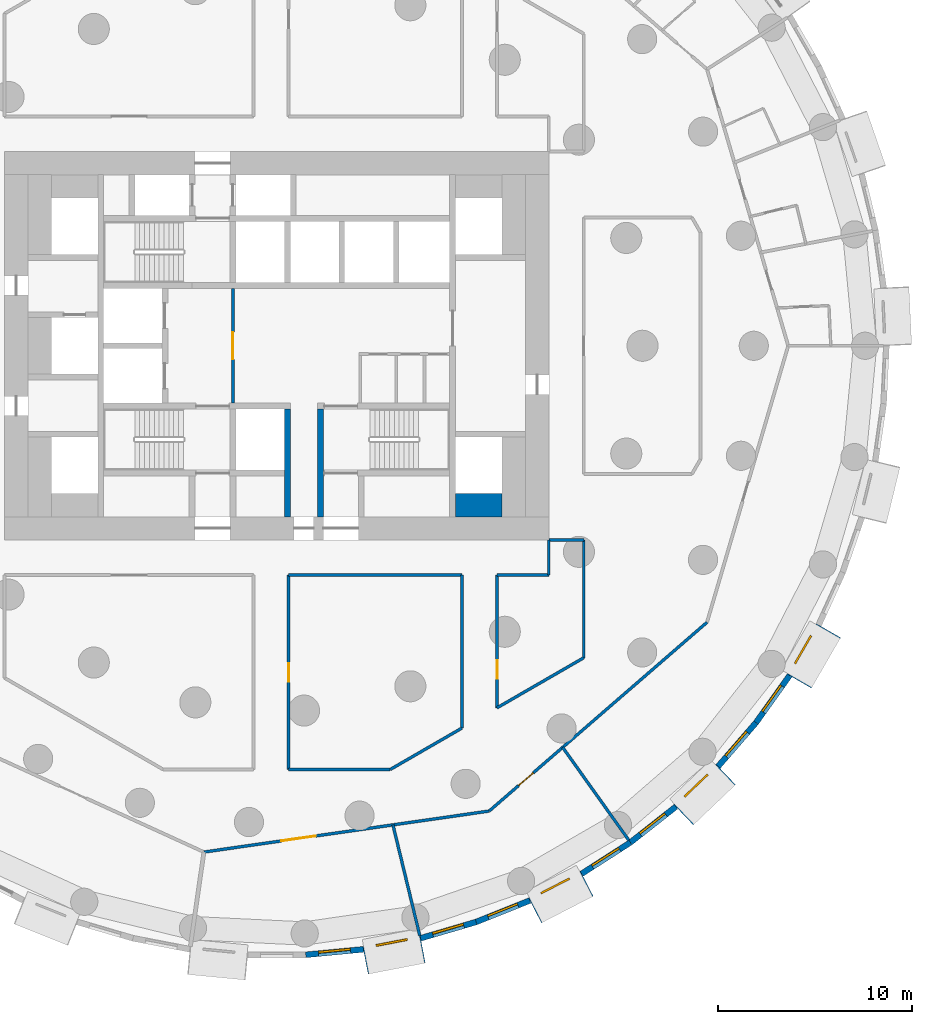
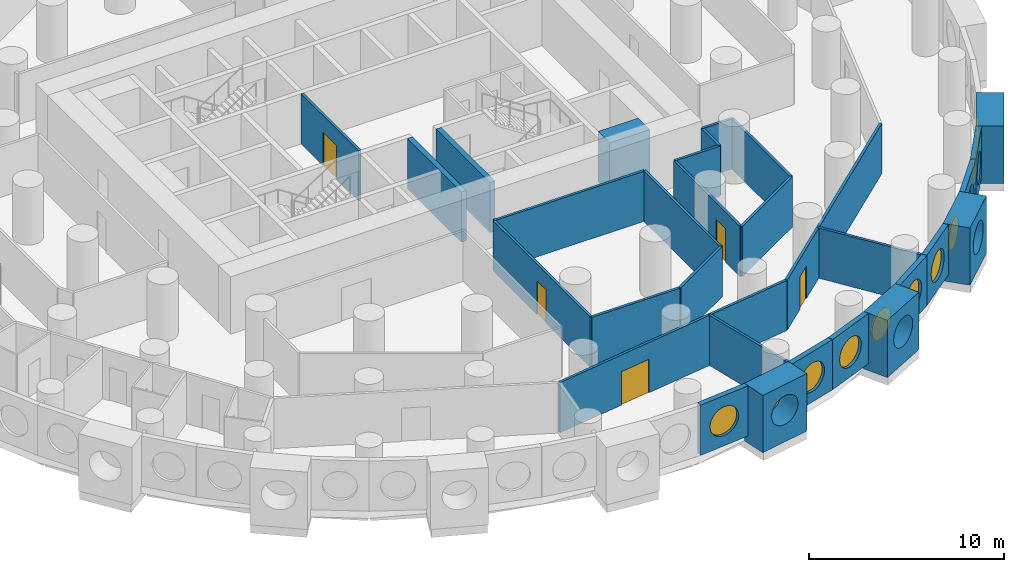
# One storey, part 5 of 12: 30 walls, 11 windows, 5 doors, 16 openings.
"""IFC4 building model written with IfcOpenShell, lengths in metres."""

from ifc_helpers import new_model, si_unit, direction, frame, frame_2d, origin, origin_2d, place, context, subcontext, project, spatial, rectangle, circle, extrude, material, layer, layer_set, type_object, element, fill, save


model = new_model("IFC4")

# Units and contexts
model_context = context("Model", 3, precision=1e-05, world=origin(), true_north=direction((0.0, 1.0)))
body_context = subcontext(model_context, "Body", "Model", "MODEL_VIEW")
ifc_project = project(units=[si_unit("LENGTHUNIT", "METRE"), si_unit("AREAUNIT", "SQUARE_METRE"), si_unit("VOLUMEUNIT", "CUBIC_METRE"), si_unit("PLANEANGLEUNIT", "RADIAN"), si_unit("MASSUNIT", "GRAM", prefix="KILO")], contexts=[model_context])

# Site, building, storey
site_placement = place(None, origin())
site = spatial("IfcSite", under=ifc_project, at=site_placement, CompositionType="ELEMENT")
building_placement = place(site_placement, origin())
building = spatial("IfcBuilding", under=site, at=building_placement, Name="Tracery Tower", CompositionType="ELEMENT")
storey_placement = place(building_placement, frame((0.0, 0.0, 28.199951171875)))
storey = spatial("IfcBuildingStorey", under=building, at=storey_placement, Name="L05", CompositionType="ELEMENT", Elevation=28.199951171875)

# Wall, opening, door
ifc_material_1 = material(Name="Plasterboard on steel studs", Category="steel")
ifc_layer_1 = layer(ifc_material_1, 0.14990234375)
ifc_layer_set_1 = layer_set([ifc_layer_1], Name="Core lobby partition 150")
wall_type_1 = type_object("IfcWallType", Name="Core lobby partition 150", PredefinedType="SOLIDWALL", material=ifc_layer_set_1)
wall_1_placement = place(storey_placement, frame((-2.25, -2.949951171875, 0.0), z_axis=(0.0, 0.0, 1.0), x_axis=(0.0, 1.0, 0.0)))
wall_1 = element("IfcWall", 1, at=wall_1_placement, inside=storey, type_object=wall_type_1, Name="L05 FF lobby E", PredefinedType="SOLIDWALL", context=body_context, shape_type="SweptSolid", body=[
    extrude(rectangle(XDim=5.89990234375, YDim=0.14990234375, at=frame_2d((2.949951171875, 0.0))), origin(), (0.0, 0.0, 1.0), 3.150146484375),
])
opening_1_placement = place(wall_1_placement, frame((2.25, 0.0, 0.0)))
opening_1 = element("IfcOpeningElement", 2, at=opening_1_placement, cuts=wall_1, Name="Opening KD8", PredefinedType="OPENING", context=body_context, shape_type="SweptSolid", body=[
    extrude(rectangle(XDim=1.39990234375, YDim=2.10009765625, at=frame_2d((0.699951171875, 1.050048828125))), frame((0.0, 0.074951171875, 0.0), z_axis=(0.0, -1.0, 0.0), x_axis=(1.0, 0.0, 0.0)), (0.0, 0.0, 1.0), 0.14990234375),
])
ifc_material_2 = material(Name="Steel fire door", Category="steel")
door_type_1 = type_object("IfcDoorType", Name="Core lobby door 1400 double", OperationType="NOTDEFINED", PredefinedType="DOOR", material=ifc_material_2)
door_1_placement = place(opening_1_placement, origin())
door_1 = element("IfcDoor", 3, at=door_1_placement, inside=storey, type_object=door_type_1, Name="Fire-fighting lobby door", OperationType="DOUBLE_DOOR_SINGLE_SWING", OverallHeight=2.10009765625, OverallWidth=1.39990234375, PredefinedType="DOOR", context=body_context, shape_type="SweptSolid", body=[
    extrude(rectangle(XDim=1.39990234375, YDim=2.10009765625, at=frame_2d((0.699951171875, 1.050048828125))), frame((0.0, 0.02490234375, 0.0), z_axis=(0.0, -1.0, 0.0), x_axis=(1.0, 0.0, 0.0)), (0.0, 0.0, 1.0), 0.050048828125),
])
fill(opening_1, door_1)

# Wall
ifc_material_3 = material(Name="Concrete C60/75", Category="concrete")
ifc_layer_2 = layer(ifc_material_3, 1.199951171875)
ifc_layer_set_2 = layer_set([ifc_layer_2], Name="Core strip wall 1200 C60")
wall_type_2 = type_object("IfcWallType", Name="Core strip wall 1200 C60", PredefinedType="SOLIDWALL", material=ifc_layer_set_2)
wall_2_placement = place(storey_placement, frame((9.199951171875, -8.199951171875, 0.0), z_axis=(0.0, 0.0, 1.0), x_axis=(1.0, 0.0, 0.0)))
element("IfcWall", 4, at=wall_2_placement, inside=storey, type_object=wall_type_2, Name="L05 wing corner +1 -8.2", PredefinedType="SOLIDWALL", context=body_context, shape_type="SweptSolid", body=[
    extrude(rectangle(XDim=2.400146484375, YDim=1.199951171875, at=frame_2d((1.2001953125, 0.0))), origin(), (0.0, 0.0, 1.0), 3.150146484375),
])

# Wall, opening, window
ifc_material_4 = material(Name="Precast concrete C50/60", Category="concrete")
ifc_layer_3 = layer(ifc_material_4, 1.449951171875)
ifc_layer_set_3 = layer_set([ifc_layer_3], Name="Deep-set bay unit 3000 x 3600, slab edge 450")
wall_type_3 = type_object("IfcWallType", Name="Deep-set bay unit 3000 x 3600, slab edge 450", PredefinedType="ELEMENTEDWALL", material=ifc_layer_set_3)
wall_3_placement = place(storey_placement, frame((4.56689453125, -31.62109375, -0.449951171875), z_axis=(0.0, 0.0, 1.0), x_axis=(0.981921602273, 0.189288052949, 0.0)))
wall_3 = element("IfcWall", 5, at=wall_3_placement, inside=storey, type_object=wall_type_3, Name="Deep-set bay unit 52 at L05", PredefinedType="ELEMENTEDWALL", context=body_context, shape_type="SweptSolid", body=[
    extrude(rectangle(XDim=3.0, YDim=1.449951171875, at=frame_2d((1.5, 0.0))), origin(), (0.0, 0.0, 1.0), 3.60009765625),
])
opening_2_placement = place(wall_3_placement, frame((1.5, 0.0, 2.0)))
opening_2 = element("IfcOpeningElement", 6, at=opening_2_placement, cuts=wall_3, Name="Opening WN1", PredefinedType="OPENING", context=body_context, shape_type="SweptSolid", body=[
    extrude(circle(Radius=0.9000244140625, at=origin_2d()), frame((0.0, 0.73486328125, 0.0), z_axis=(0.0, -1.0, 0.0), x_axis=(1.0, 0.0, 0.0)), (0.0, 0.0, 1.0), 1.469970703125),
])
ifc_material_5 = material(Name="Aluminium frame with tinted double glazing", Category="aluminium")
window_type = type_object("IfcWindowType", Name="Round window 1800", PartitioningType="SINGLE_PANEL", PredefinedType="WINDOW", material=ifc_material_5)
window_1_placement = place(opening_2_placement, origin())
window_1 = element("IfcWindow", 7, at=window_1_placement, inside=storey, type_object=window_type, Name="Round window 52 at L05", OverallHeight=1.800048828125, OverallWidth=1.800048828125, PartitioningType="SINGLE_PANEL", PredefinedType="WINDOW", context=body_context, shape_type="SweptSolid", body=[
    extrude(circle(Radius=0.9000244140625, at=origin_2d()), frame((0.0, 0.69482421875, 0.0), z_axis=(0.0, -1.0, 0.0), x_axis=(1.0, 0.0, 0.0)), (0.0, 0.0, 1.0), 0.10009765625),
])
fill(opening_2, window_1)

wall_4_placement = place(storey_placement, frame((13.29052734375, -29.053466796875, -0.449951171875), z_axis=(0.0, 0.0, 1.0), x_axis=(0.888858064689, 0.458182650083, 0.0)))
wall_4 = element("IfcWall", 8, at=wall_4_placement, inside=storey, type_object=wall_type_3, Name="Deep-set bay unit 55 at L05", PredefinedType="ELEMENTEDWALL", context=body_context, shape_type="SweptSolid", body=[
    extrude(rectangle(XDim=3.0, YDim=1.449951171875, at=frame_2d((1.5, 0.0))), origin(), (0.0, 0.0, 1.0), 3.60009765625),
])
opening_3_placement = place(wall_4_placement, frame((1.5, 0.0, 2.0)))
opening_3 = element("IfcOpeningElement", 9, at=opening_3_placement, cuts=wall_4, Name="Opening WN1", PredefinedType="OPENING", context=body_context, shape_type="SweptSolid", body=[
    extrude(circle(Radius=0.9000244140625, at=origin_2d()), frame((0.0, 0.73486328125, 0.0), z_axis=(0.0, -1.0, 0.0), x_axis=(1.0, 0.0, 0.0)), (0.0, 0.0, 1.0), 1.469970703125),
])
window_2_placement = place(opening_3_placement, origin())
window_2 = element("IfcWindow", 10, at=window_2_placement, inside=storey, type_object=window_type, Name="Round window 55 at L05", OverallHeight=1.800048828125, OverallWidth=1.800048828125, PartitioningType="SINGLE_PANEL", PredefinedType="WINDOW", context=body_context, shape_type="SweptSolid", body=[
    extrude(circle(Radius=0.9000244140625, at=origin_2d()), frame((0.0, 0.69482421875, 0.0), z_axis=(0.0, -1.0, 0.0), x_axis=(1.0, 0.0, 0.0)), (0.0, 0.0, 1.0), 0.10009765625),
])
fill(opening_3, window_2)

wall_5_placement = place(storey_placement, frame((20.9375, -24.13232421875, -0.449951171875), z_axis=(0.0, 0.0, 1.0), x_axis=(0.723712023899, 0.690102098579, 0.0)))
wall_5 = element("IfcWall", 11, at=wall_5_placement, inside=storey, type_object=wall_type_3, Name="Deep-set bay unit 58 at L05", PredefinedType="ELEMENTEDWALL", context=body_context, shape_type="SweptSolid", body=[
    extrude(rectangle(XDim=3.0, YDim=1.449951171875, at=frame_2d((1.5, 0.0))), origin(), (0.0, 0.0, 1.0), 3.60009765625),
])
opening_4_placement = place(wall_5_placement, frame((1.5, 0.0, 2.0)))
opening_4 = element("IfcOpeningElement", 12, at=opening_4_placement, cuts=wall_5, Name="Opening WN1", PredefinedType="OPENING", context=body_context, shape_type="SweptSolid", body=[
    extrude(circle(Radius=0.9000244140625, at=origin_2d()), frame((0.0, 0.73486328125, 0.0), z_axis=(0.0, -1.0, 0.0), x_axis=(1.0, 0.0, 0.0)), (0.0, 0.0, 1.0), 1.469970703125),
])
window_3_placement = place(opening_4_placement, origin())
window_3 = element("IfcWindow", 13, at=window_3_placement, inside=storey, type_object=window_type, Name="Round window 58 at L05", OverallHeight=1.800048828125, OverallWidth=1.800048828125, PartitioningType="SINGLE_PANEL", PredefinedType="WINDOW", context=body_context, shape_type="SweptSolid", body=[
    extrude(circle(Radius=0.9000244140625, at=origin_2d()), frame((0.0, 0.69482421875, 0.0), z_axis=(0.0, -1.0, 0.0), x_axis=(1.0, 0.0, 0.0)), (0.0, 0.0, 1.0), 0.10009765625),
])
fill(opening_4, window_3)

wall_6_placement = place(storey_placement, frame((26.88818359375, -17.256103515625, -0.449951171875), z_axis=(0.0, 0.0, 1.0), x_axis=(0.499990139034, 0.866031096941, 0.0)))
wall_6 = element("IfcWall", 14, at=wall_6_placement, inside=storey, type_object=wall_type_3, Name="Deep-set bay unit 61 at L05", PredefinedType="ELEMENTEDWALL", context=body_context, shape_type="SweptSolid", body=[
    extrude(rectangle(XDim=3.0, YDim=1.449951171875, at=frame_2d((1.5, 0.0))), origin(), (0.0, 0.0, 1.0), 3.60009765625),
])
opening_5_placement = place(wall_6_placement, frame((1.5, 0.0, 2.0)))
opening_5 = element("IfcOpeningElement", 15, at=opening_5_placement, cuts=wall_6, Name="Opening WN1", PredefinedType="OPENING", context=body_context, shape_type="SweptSolid", body=[
    extrude(circle(Radius=0.9000244140625, at=origin_2d()), frame((0.0, 0.73486328125, 0.0), z_axis=(0.0, -1.0, 0.0), x_axis=(1.0, 0.0, 0.0)), (0.0, 0.0, 1.0), 1.469970703125),
])
window_4_placement = place(opening_5_placement, origin())
window_4 = element("IfcWindow", 16, at=window_4_placement, inside=storey, type_object=window_type, Name="Round window 61 at L05", OverallHeight=1.800048828125, OverallWidth=1.800048828125, PartitioningType="SINGLE_PANEL", PredefinedType="WINDOW", context=body_context, shape_type="SweptSolid", body=[
    extrude(circle(Radius=0.9000244140625, at=origin_2d()), frame((0.0, 0.69482421875, 0.0), z_axis=(0.0, -1.0, 0.0), x_axis=(1.0, 0.0, 0.0)), (0.0, 0.0, 1.0), 0.10009765625),
])
fill(opening_5, window_4)

ifc_material_6 = material(Name="Precast concrete C50/60", Category="concrete")
ifc_layer_4 = layer(ifc_material_6, 0.300048828125)
ifc_layer_set_4 = layer_set([ifc_layer_4], Name="Facade panel 3000 x 3150")
wall_type_4 = type_object("IfcWallType", Name="Facade panel 3000 x 3150", PredefinedType="SOLIDWALL", material=ifc_layer_set_4)
wall_7_placement = place(storey_placement, frame((1.492919921875, -31.3388671875, 0.0), z_axis=(0.0, 0.0, 1.0), x_axis=(0.995472611385, 0.095048829468, 0.0)))
wall_7 = element("IfcWall", 17, at=wall_7_placement, inside=storey, type_object=wall_type_4, Name="Facade panel 51 at L05", PredefinedType="SOLIDWALL", context=body_context, shape_type="SweptSolid", body=[
    extrude(rectangle(XDim=2.9794921875, YDim=0.300048828125, at=frame_2d((1.48974609375, 0.0))), origin(), (0.0, 0.0, 1.0), 3.150146484375),
])
opening_6_placement = place(wall_7_placement, frame((1.48974609375, 0.0, 1.5498046875)))
opening_6 = element("IfcOpeningElement", 18, at=opening_6_placement, cuts=wall_7, Name="Opening WN1", PredefinedType="OPENING", context=body_context, shape_type="SweptSolid", body=[
    extrude(circle(Radius=0.9000244140625, at=origin_2d()), frame((0.0, 0.159912109375, 0.0), z_axis=(0.0, -1.0, 0.0), x_axis=(1.0, 0.0, 0.0)), (0.0, 0.0, 1.0), 0.320068359375),
])
window_5_placement = place(opening_6_placement, origin())
window_5 = element("IfcWindow", 19, at=window_5_placement, inside=storey, type_object=window_type, Name="Round window 51 at L05", OverallHeight=1.800048828125, OverallWidth=1.800048828125, PartitioningType="SINGLE_PANEL", PredefinedType="WINDOW", context=body_context, shape_type="SweptSolid", body=[
    extrude(circle(Radius=0.9000244140625, at=origin_2d()), frame((0.0, 0.1201171875, 0.0), z_axis=(0.0, -1.0, 0.0), x_axis=(1.0, 0.0, 0.0)), (0.0, 0.0, 1.0), 0.10009765625),
])
fill(opening_6, window_5)

wall_8_placement = place(storey_placement, frame((7.402587890625, -30.48828125, 0.0), z_axis=(0.0, 0.0, 1.0), x_axis=(0.959501085144, 0.281704930036, 0.0)))
wall_8 = element("IfcWall", 20, at=wall_8_placement, inside=storey, type_object=wall_type_4, Name="Facade panel 53 at L05", PredefinedType="SOLIDWALL", context=body_context, shape_type="SweptSolid", body=[
    extrude(rectangle(XDim=2.9794921875, YDim=0.300048828125, at=frame_2d((1.48974609375, 0.0))), origin(), (0.0, 0.0, 1.0), 3.150146484375),
])
opening_7_placement = place(wall_8_placement, frame((1.48974609375, 0.0, 1.5498046875)))
opening_7 = element("IfcOpeningElement", 21, at=opening_7_placement, cuts=wall_8, Name="Opening WN1", PredefinedType="OPENING", context=body_context, shape_type="SweptSolid", body=[
    extrude(circle(Radius=0.9000244140625, at=origin_2d()), frame((0.0, 0.159912109375, 0.0), z_axis=(0.0, -1.0, 0.0), x_axis=(1.0, 0.0, 0.0)), (0.0, 0.0, 1.0), 0.320068359375),
])
window_6_placement = place(opening_7_placement, origin())
window_6 = element("IfcWindow", 22, at=window_6_placement, inside=storey, type_object=window_type, Name="Round window 53 at L05", OverallHeight=1.800048828125, OverallWidth=1.800048828125, PartitioningType="SINGLE_PANEL", PredefinedType="WINDOW", context=body_context, shape_type="SweptSolid", body=[
    extrude(circle(Radius=0.9000244140625, at=origin_2d()), frame((0.0, 0.1201171875, 0.0), z_axis=(0.0, -1.0, 0.0), x_axis=(1.0, 0.0, 0.0)), (0.0, 0.0, 1.0), 0.10009765625),
])
fill(opening_7, window_6)

wall_9_placement = place(storey_placement, frame((10.261474609375, -29.64892578125, 0.0), z_axis=(0.0, 0.0, 1.0), x_axis=(0.928374947, 0.371644935098, 0.0)))
wall_9 = element("IfcWall", 23, at=wall_9_placement, inside=storey, type_object=wall_type_4, Name="Facade panel 54 at L05", PredefinedType="SOLIDWALL", context=body_context, shape_type="SweptSolid", body=[
    extrude(rectangle(XDim=2.979736328125, YDim=0.300048828125, at=frame_2d((1.48974609375, 0.0))), origin(), (0.0, 0.0, 1.0), 3.150146484375),
])
opening_8_placement = place(wall_9_placement, frame((1.48974609375, 0.0, 1.5498046875)))
opening_8 = element("IfcOpeningElement", 24, at=opening_8_placement, cuts=wall_9, Name="Opening WN1", PredefinedType="OPENING", context=body_context, shape_type="SweptSolid", body=[
    extrude(circle(Radius=0.9000244140625, at=origin_2d()), frame((0.0, 0.159912109375, 0.0), z_axis=(0.0, -1.0, 0.0), x_axis=(1.0, 0.0, 0.0)), (0.0, 0.0, 1.0), 0.320068359375),
])
window_7_placement = place(opening_8_placement, origin())
window_7 = element("IfcWindow", 25, at=window_7_placement, inside=storey, type_object=window_type, Name="Round window 54 at L05", OverallHeight=1.800048828125, OverallWidth=1.800048828125, PartitioningType="SINGLE_PANEL", PredefinedType="WINDOW", context=body_context, shape_type="SweptSolid", body=[
    extrude(circle(Radius=0.9000244140625, at=origin_2d()), frame((0.0, 0.1201171875, 0.0), z_axis=(0.0, -1.0, 0.0), x_axis=(1.0, 0.0, 0.0)), (0.0, 0.0, 1.0), 0.10009765625),
])
fill(opening_8, window_7)

wall_10_placement = place(storey_placement, frame((15.6923828125, -27.167724609375, 0.0), z_axis=(0.0, 0.0, 1.0), x_axis=(0.841260995538, 0.54062920508, 0.0)))
wall_10 = element("IfcWall", 26, at=wall_10_placement, inside=storey, type_object=wall_type_4, Name="Facade panel 56 at L05", PredefinedType="SOLIDWALL", context=body_context, shape_type="SweptSolid", body=[
    extrude(rectangle(XDim=2.9794921875, YDim=0.300048828125, at=frame_2d((1.48974609375, 0.0))), origin(), (0.0, 0.0, 1.0), 3.150146484375),
])
opening_9_placement = place(wall_10_placement, frame((1.48974609375, 0.0, 1.5498046875)))
opening_9 = element("IfcOpeningElement", 27, at=opening_9_placement, cuts=wall_10, Name="Opening WN1", PredefinedType="OPENING", context=body_context, shape_type="SweptSolid", body=[
    extrude(circle(Radius=0.9000244140625, at=origin_2d()), frame((0.0, 0.159912109375, 0.0), z_axis=(0.0, -1.0, 0.0), x_axis=(1.0, 0.0, 0.0)), (0.0, 0.0, 1.0), 0.320068359375),
])
window_8_placement = place(opening_9_placement, origin())
window_8 = element("IfcWindow", 28, at=window_8_placement, inside=storey, type_object=window_type, Name="Round window 56 at L05", OverallHeight=1.800048828125, OverallWidth=1.800048828125, PartitioningType="SINGLE_PANEL", PredefinedType="WINDOW", context=body_context, shape_type="SweptSolid", body=[
    extrude(circle(Radius=0.9000244140625, at=origin_2d()), frame((0.0, 0.1201171875, 0.0), z_axis=(0.0, -1.0, 0.0), x_axis=(1.0, 0.0, 0.0)), (0.0, 0.0, 1.0), 0.10009765625),
])
fill(opening_9, window_8)

wall_11_placement = place(storey_placement, frame((18.198974609375, -25.556884765625, 0.0), z_axis=(0.0, 0.0, 1.0), x_axis=(0.786053834673, 0.618158045322, 0.0)))
wall_11 = element("IfcWall", 29, at=wall_11_placement, inside=storey, type_object=wall_type_4, Name="Facade panel 57 at L05", PredefinedType="SOLIDWALL", context=body_context, shape_type="SweptSolid", body=[
    extrude(rectangle(XDim=2.9794921875, YDim=0.300048828125, at=frame_2d((1.48974609375, 0.0))), origin(), (0.0, 0.0, 1.0), 3.150146484375),
])
opening_10_placement = place(wall_11_placement, frame((1.48974609375, 0.0, 1.5498046875)))
opening_10 = element("IfcOpeningElement", 30, at=opening_10_placement, cuts=wall_11, Name="Opening WN1", PredefinedType="OPENING", context=body_context, shape_type="SweptSolid", body=[
    extrude(circle(Radius=0.9000244140625, at=origin_2d()), frame((0.0, 0.159912109375, 0.0), z_axis=(0.0, -1.0, 0.0), x_axis=(1.0, 0.0, 0.0)), (0.0, 0.0, 1.0), 0.320068359375),
])
window_9_placement = place(opening_10_placement, origin())
window_9 = element("IfcWindow", 31, at=window_9_placement, inside=storey, type_object=window_type, Name="Round window 57 at L05", OverallHeight=1.800048828125, OverallWidth=1.800048828125, PartitioningType="SINGLE_PANEL", PredefinedType="WINDOW", context=body_context, shape_type="SweptSolid", body=[
    extrude(circle(Radius=0.9000244140625, at=origin_2d()), frame((0.0, 0.1201171875, 0.0), z_axis=(0.0, -1.0, 0.0), x_axis=(1.0, 0.0, 0.0)), (0.0, 0.0, 1.0), 0.10009765625),
])
fill(opening_10, window_9)

wall_12_placement = place(storey_placement, frame((22.710693359375, -21.646240234375, 0.0), z_axis=(0.0, 0.0, 1.0), x_axis=(0.654830712471, 0.755775587066, 0.0)))
wall_12 = element("IfcWall", 32, at=wall_12_placement, inside=storey, type_object=wall_type_4, Name="Facade panel 59 at L05", PredefinedType="SOLIDWALL", context=body_context, shape_type="SweptSolid", body=[
    extrude(rectangle(XDim=2.979736328125, YDim=0.300048828125, at=frame_2d((1.48974609375, 0.0))), origin(), (0.0, 0.0, 1.0), 3.150146484375),
])
opening_11_placement = place(wall_12_placement, frame((1.48974609375, 0.0, 1.5498046875)))
opening_11 = element("IfcOpeningElement", 33, at=opening_11_placement, cuts=wall_12, Name="Opening WN1", PredefinedType="OPENING", context=body_context, shape_type="SweptSolid", body=[
    extrude(circle(Radius=0.9000244140625, at=origin_2d()), frame((0.0, 0.159912109375, 0.0), z_axis=(0.0, -1.0, 0.0), x_axis=(1.0, 0.0, 0.0)), (0.0, 0.0, 1.0), 0.320068359375),
])
window_10_placement = place(opening_11_placement, origin())
window_10 = element("IfcWindow", 34, at=window_10_placement, inside=storey, type_object=window_type, Name="Round window 59 at L05", OverallHeight=1.800048828125, OverallWidth=1.800048828125, PartitioningType="SINGLE_PANEL", PredefinedType="WINDOW", context=body_context, shape_type="SweptSolid", body=[
    extrude(circle(Radius=0.9000244140625, at=origin_2d()), frame((0.0, 0.1201171875, 0.0), z_axis=(0.0, -1.0, 0.0), x_axis=(1.0, 0.0, 0.0)), (0.0, 0.0, 1.0), 0.10009765625),
])
fill(opening_11, window_10)

wall_13_placement = place(storey_placement, frame((24.661865234375, -19.394287109375, 0.0), z_axis=(0.0, 0.0, 1.0), x_axis=(0.580113774115, 0.814535456, 0.0)))
wall_13 = element("IfcWall", 35, at=wall_13_placement, inside=storey, type_object=wall_type_4, Name="Facade panel 60 at L05", PredefinedType="SOLIDWALL", context=body_context, shape_type="SweptSolid", body=[
    extrude(rectangle(XDim=2.979736328125, YDim=0.300048828125, at=frame_2d((1.48974609375, 0.0))), origin(), (0.0, 0.0, 1.0), 3.150146484375),
])
opening_12_placement = place(wall_13_placement, frame((1.48974609375, 0.0, 1.5498046875)))
opening_12 = element("IfcOpeningElement", 36, at=opening_12_placement, cuts=wall_13, Name="Opening WN1", PredefinedType="OPENING", context=body_context, shape_type="SweptSolid", body=[
    extrude(circle(Radius=0.9000244140625, at=origin_2d()), frame((0.0, 0.159912109375, 0.0), z_axis=(0.0, -1.0, 0.0), x_axis=(1.0, 0.0, 0.0)), (0.0, 0.0, 1.0), 0.320068359375),
])
window_11_placement = place(opening_12_placement, origin())
window_11 = element("IfcWindow", 37, at=window_11_placement, inside=storey, type_object=window_type, Name="Round window 60 at L05", OverallHeight=1.800048828125, OverallWidth=1.800048828125, PartitioningType="SINGLE_PANEL", PredefinedType="WINDOW", context=body_context, shape_type="SweptSolid", body=[
    extrude(circle(Radius=0.9000244140625, at=origin_2d()), frame((0.0, 0.1201171875, 0.0), z_axis=(0.0, -1.0, 0.0), x_axis=(1.0, 0.0, 0.0)), (0.0, 0.0, 1.0), 0.10009765625),
])
fill(opening_12, window_11)

# Walls
ifc_material_7 = material(Name="Plasterboard on steel studs", Category="steel")
ifc_layer_5 = layer(ifc_material_7, 0.14990234375)
ifc_layer_set_5 = layer_set([ifc_layer_5], Name="Partition 150 acoustic unit wall")
wall_type_5 = type_object("IfcWallType", Name="Partition 150 acoustic unit wall", PredefinedType="PARTITIONING", material=ifc_layer_set_5)
wall_14_placement = place(storey_placement, frame((5.98095703125, -24.652099609375, 0.0), z_axis=(0.0, 0.0, 1.0), x_axis=(0.235644168604, -0.971839403298, 0.0)))
element("IfcWall", 38, at=wall_14_placement, inside=storey, type_object=wall_type_5, Name="Unit wall RA1-113", PredefinedType="PARTITIONING", context=body_context, shape_type="SweptSolid", body=[
    extrude(rectangle(XDim=5.85693359375, YDim=0.14990234375, at=frame_2d((2.928466796875, 0.0))), origin(), (0.0, 0.0, 1.0), 3.150146484375),
])
wall_15_placement = place(storey_placement, frame((14.715087890625, -20.6640625, 0.0), z_axis=(0.0, 0.0, 1.0), x_axis=(0.580007254017, -0.814611309329, 0.0)))
element("IfcWall", 39, at=wall_15_placement, inside=storey, type_object=wall_type_5, Name="Unit wall RA1-114", PredefinedType="PARTITIONING", context=body_context, shape_type="SweptSolid", body=[
    extrude(rectangle(XDim=5.856689453125, YDim=0.14990234375, at=frame_2d((2.92822265625, 0.0))), origin(), (0.0, 0.0, 1.0), 3.150146484375),
])
ifc_material_8 = material(Name="Plasterboard on steel studs", Category="steel")
ifc_layer_6 = layer(ifc_material_8, 0.14990234375)
ifc_layer_set_6 = layer_set([ifc_layer_6], Name="Partition 150 corridor wall")
wall_type_6 = type_object("IfcWallType", Name="Partition 150 corridor wall", PredefinedType="PARTITIONING", material=ifc_layer_set_6)
wall_16_placement = place(storey_placement, frame((0.60400390625, -11.800048828125, 0.0), z_axis=(0.0, 0.0, 1.0), x_axis=(1.0, 0.0, 0.0)))
element("IfcWall", 40, at=wall_16_placement, inside=storey, type_object=wall_type_6, Name="Corridor wall RA1-006", PredefinedType="PARTITIONING", context=body_context, shape_type="SweptSolid", body=[
    extrude(rectangle(XDim=8.93603515625, YDim=0.14990234375, at=frame_2d((4.468017578125, 0.0))), origin(), (0.0, 0.0, 1.0), 3.150146484375),
])
wall_17_placement = place(storey_placement, frame((14.0, -11.800048828125, 0.0), z_axis=(0.0, 0.0, 1.0), x_axis=(0.0, 1.0, 0.0)))
element("IfcWall", 41, at=wall_17_placement, inside=storey, type_object=wall_type_6, Name="Corridor wall RA1-007", PredefinedType="PARTITIONING", context=body_context, shape_type="SweptSolid", body=[
    extrude(rectangle(XDim=1.800048828125, YDim=0.14990234375, at=frame_2d((0.89990234375, 0.0))), origin(), (0.0, 0.0, 1.0), 3.150146484375),
])
wall_18_placement = place(storey_placement, frame((11.33203125, -11.800048828125, 0.0), z_axis=(0.0, 0.0, 1.0), x_axis=(1.0, 0.0, 0.0)))
element("IfcWall", 42, at=wall_18_placement, inside=storey, type_object=wall_type_6, Name="Corridor wall RA1-008", PredefinedType="PARTITIONING", context=body_context, shape_type="SweptSolid", body=[
    extrude(rectangle(XDim=2.66796875, YDim=0.14990234375, at=frame_2d((1.333984375, 0.0))), origin(), (0.0, 0.0, 1.0), 3.150146484375),
])
wall_19_placement = place(storey_placement, frame((14.0, -10.0, 0.0), z_axis=(0.0, 0.0, 1.0), x_axis=(1.0, 0.0, 0.0)))
element("IfcWall", 43, at=wall_19_placement, inside=storey, type_object=wall_type_6, Name="Corridor wall RA1-010", PredefinedType="PARTITIONING", context=body_context, shape_type="SweptSolid", body=[
    extrude(rectangle(XDim=1.800048828125, YDim=0.14990234375, at=frame_2d((0.89990234375, 0.0))), origin(), (0.0, 0.0, 1.0), 3.150146484375),
])
wall_20_placement = place(storey_placement, frame((15.800048828125, -16.052978515625, 0.0), z_axis=(0.0, 0.0, 1.0), x_axis=(0.0, 1.0, 0.0)))
element("IfcWall", 44, at=wall_20_placement, inside=storey, type_object=wall_type_6, Name="Corridor wall RA1-014", PredefinedType="PARTITIONING", context=body_context, shape_type="SweptSolid", body=[
    extrude(rectangle(XDim=6.056884765625, YDim=0.14990234375, at=frame_2d((3.0283203125, 0.0))), origin(), (0.0, 0.0, 1.0), 3.150146484375),
])

# Wall, opening, door
wall_21_placement = place(storey_placement, frame((10.93310546875, -23.940185546875, 0.0), z_axis=(0.0, 0.0, 1.0), x_axis=(0.755770011705, 0.654837147242, 0.0)))
wall_21 = element("IfcWall", 45, at=wall_21_placement, inside=storey, type_object=wall_type_6, Name="Corridor wall RA1-023", PredefinedType="PARTITIONING", context=body_context, shape_type="SweptSolid", body=[
    extrude(rectangle(XDim=14.829833984375, YDim=0.14990234375, at=frame_2d((7.4150390625, 0.0))), origin(), (0.0, 0.0, 1.0), 3.150146484375),
])
opening_13_placement = place(wall_21_placement, frame((2.0029296875, 0.0, 0.0)))
opening_13 = element("IfcOpeningElement", 46, at=opening_13_placement, cuts=wall_21, Name="Opening RA1-47", PredefinedType="OPENING", context=body_context, shape_type="SweptSolid", body=[
    extrude(rectangle(XDim=1.0, YDim=2.0400390625, at=frame_2d((0.5, 1.02001953125))), frame((0.0, 0.074951171875, 0.0), z_axis=(0.0, -1.0, 0.0), x_axis=(1.0, 0.0, 0.0)), (0.0, 0.0, 1.0), 0.14990234375),
])
ifc_material_9 = material(Name="Timber door leaf", Category="wood")
door_type_2 = type_object("IfcDoorType", Name="Door communal room 1000", OperationType="NOTDEFINED", PredefinedType="DOOR", material=ifc_material_9)
door_2_placement = place(opening_13_placement, origin())
door_2 = element("IfcDoor", 47, at=door_2_placement, inside=storey, type_object=door_type_2, Name="Communal room door RA1-47", OperationType="SINGLE_SWING_RIGHT", OverallHeight=2.0400390625, OverallWidth=1.0, PredefinedType="DOOR", context=body_context, shape_type="SweptSolid", body=[
    extrude(rectangle(XDim=1.0, YDim=2.0400390625, at=frame_2d((0.5, 1.02001953125))), frame((0.0, 0.02490234375, 0.0), z_axis=(0.0, -1.0, 0.0), x_axis=(1.0, 0.0, 0.0)), (0.0, 0.0, 1.0), 0.050048828125),
])
fill(opening_13, door_2)

wall_22_placement = place(storey_placement, frame((0.60791015625, -21.802001953125, 0.0), z_axis=(0.0, 0.0, 1.0), x_axis=(0.0, 1.0, 0.0)))
wall_22 = element("IfcWall", 48, at=wall_22_placement, inside=storey, type_object=wall_type_6, Name="Corridor wall RA1-049", PredefinedType="PARTITIONING", context=body_context, shape_type="SweptSolid", body=[
    extrude(rectangle(XDim=10.001953125, YDim=0.14990234375, at=frame_2d((5.0009765625, 0.0))), origin(), (0.0, 0.0, 1.0), 3.150146484375),
])
opening_14_placement = place(wall_22_placement, frame((4.52587890625, 0.0, 0.0)))
opening_14 = element("IfcOpeningElement", 49, at=opening_14_placement, cuts=wall_22, Name="Opening RA1-05", PredefinedType="OPENING", context=body_context, shape_type="SweptSolid", body=[
    extrude(rectangle(XDim=0.949951171875, YDim=2.10009765625, at=frame_2d((0.47509765625, 1.050048828125))), frame((0.0, 0.074951171875, 0.0), z_axis=(0.0, -1.0, 0.0), x_axis=(1.0, 0.0, 0.0)), (0.0, 0.0, 1.0), 0.14990234375),
])
ifc_material_10 = material(Name="Timber door leaf", Category="wood")
door_type_3 = type_object("IfcDoorType", Name="Door store 950", OperationType="NOTDEFINED", PredefinedType="DOOR", material=ifc_material_10)
door_3_placement = place(opening_14_placement, origin())
door_3 = element("IfcDoor", 50, at=door_3_placement, inside=storey, type_object=door_type_3, Name="Store door RA1-05", OperationType="SINGLE_SWING_RIGHT", OverallHeight=2.10009765625, OverallWidth=0.949951171875, PredefinedType="DOOR", context=body_context, shape_type="SweptSolid", body=[
    extrude(rectangle(XDim=0.949951171875, YDim=2.10009765625, at=frame_2d((0.47509765625, 1.050048828125))), frame((0.0, 0.02490234375, 0.0), z_axis=(0.0, -1.0, 0.0), x_axis=(1.0, 0.0, 0.0)), (0.0, 0.0, 1.0), 0.050048828125),
])
fill(opening_14, door_3)

# Walls
wall_23_placement = place(storey_placement, frame((0.60791015625, -21.802001953125, 0.0), z_axis=(0.0, 0.0, 1.0), x_axis=(1.0, 0.0, 0.0)))
element("IfcWall", 51, at=wall_23_placement, inside=storey, type_object=wall_type_6, Name="Corridor wall RA1-050", PredefinedType="PARTITIONING", context=body_context, shape_type="SweptSolid", body=[
    extrude(rectangle(XDim=5.234130859375, YDim=0.14990234375, at=frame_2d((2.6171875, 0.0))), origin(), (0.0, 0.0, 1.0), 3.150146484375),
])
wall_24_placement = place(storey_placement, frame((5.842041015625, -21.802001953125, 0.0), z_axis=(0.0, 0.0, 1.0), x_axis=(0.865983505205, 0.500072563448, 0.0)))
element("IfcWall", 52, at=wall_24_placement, inside=storey, type_object=wall_type_6, Name="Corridor wall RA1-051", PredefinedType="PARTITIONING", context=body_context, shape_type="SweptSolid", body=[
    extrude(rectangle(XDim=4.265380859375, YDim=0.14990234375, at=frame_2d((2.1328125, 0.0))), origin(), (0.0, 0.0, 1.0), 3.150146484375),
])
wall_25_placement = place(storey_placement, frame((9.535888671875, -19.6689453125, 0.0), z_axis=(0.0, 0.0, 1.0), x_axis=(0.0, 1.0, 0.0)))
element("IfcWall", 53, at=wall_25_placement, inside=storey, type_object=wall_type_6, Name="Corridor wall RA1-052", PredefinedType="PARTITIONING", context=body_context, shape_type="SweptSolid", body=[
    extrude(rectangle(XDim=7.868896484375, YDim=0.14990234375, at=frame_2d((3.9345703125, 0.0))), origin(), (0.0, 0.0, 1.0), 3.150146484375),
])

# Wall, opening, door
wall_26_placement = place(storey_placement, frame((11.3359375, -18.6298828125, 0.0), z_axis=(0.0, 0.0, 1.0), x_axis=(0.0, 1.0, 0.0)))
wall_26 = element("IfcWall", 54, at=wall_26_placement, inside=storey, type_object=wall_type_6, Name="Corridor wall RA1-053", PredefinedType="PARTITIONING", context=body_context, shape_type="SweptSolid", body=[
    extrude(rectangle(XDim=6.829833984375, YDim=0.14990234375, at=frame_2d((3.4150390625, 0.0))), origin(), (0.0, 0.0, 1.0), 3.150146484375),
])
opening_15_placement = place(wall_26_placement, frame((1.489990234375, 0.0, 0.0)))
opening_15 = element("IfcOpeningElement", 55, at=opening_15_placement, cuts=wall_26, Name="Opening RA1-06", PredefinedType="OPENING", context=body_context, shape_type="SweptSolid", body=[
    extrude(rectangle(XDim=0.949951171875, YDim=2.10009765625, at=frame_2d((0.47509765625, 1.050048828125))), frame((0.0, 0.074951171875, 0.0), z_axis=(0.0, -1.0, 0.0), x_axis=(1.0, 0.0, 0.0)), (0.0, 0.0, 1.0), 0.14990234375),
])
door_4_placement = place(opening_15_placement, origin())
door_4 = element("IfcDoor", 56, at=door_4_placement, inside=storey, type_object=door_type_3, Name="Store door RA1-06", OperationType="SINGLE_SWING_RIGHT", OverallHeight=2.10009765625, OverallWidth=0.949951171875, PredefinedType="DOOR", context=body_context, shape_type="SweptSolid", body=[
    extrude(rectangle(XDim=0.949951171875, YDim=2.10009765625, at=frame_2d((0.47509765625, 1.050048828125))), frame((0.0, 0.02490234375, 0.0), z_axis=(0.0, -1.0, 0.0), x_axis=(1.0, 0.0, 0.0)), (0.0, 0.0, 1.0), 0.050048828125),
])
fill(opening_15, door_4)

# Wall
wall_27_placement = place(storey_placement, frame((11.3359375, -18.6298828125, 0.0), z_axis=(0.0, 0.0, 1.0), x_axis=(0.866063337164, 0.499934291702, 0.0)))
element("IfcWall", 57, at=wall_27_placement, inside=storey, type_object=wall_type_6, Name="Corridor wall RA1-054", PredefinedType="PARTITIONING", context=body_context, shape_type="SweptSolid", body=[
    extrude(rectangle(XDim=5.154541015625, YDim=0.14990234375, at=frame_2d((2.5771484375, 0.0))), origin(), (0.0, 0.0, 1.0), 3.150146484375),
])

# Wall, opening, door
wall_28_placement = place(storey_placement, frame((-3.74609375, -26.051025390625, 0.0), z_axis=(0.0, 0.0, 1.0), x_axis=(0.989823328782, 0.142301713967, 0.0)))
wall_28 = element("IfcWall", 58, at=wall_28_placement, inside=storey, type_object=wall_type_6, Name="Corridor wall RA1-057", PredefinedType="PARTITIONING", context=body_context, shape_type="SweptSolid", body=[
    extrude(rectangle(XDim=14.830078125, YDim=0.14990234375, at=frame_2d((7.4150390625, 0.0))), origin(), (0.0, 0.0, 1.0), 3.150146484375),
])
opening_16_placement = place(wall_28_placement, frame((4.01513671875, 0.0, 0.0)))
opening_16 = element("IfcOpeningElement", 59, at=opening_16_placement, cuts=wall_28, Name="Opening RA1-46", PredefinedType="OPENING", context=body_context, shape_type="SweptSolid", body=[
    extrude(rectangle(XDim=1.800048828125, YDim=2.10009765625, at=frame_2d((0.89990234375, 1.050048828125))), frame((0.0, 0.074951171875, 0.0), z_axis=(0.0, -1.0, 0.0), x_axis=(1.0, 0.0, 0.0)), (0.0, 0.0, 1.0), 0.14990234375),
])
ifc_material_11 = material(Name="Timber door leaf", Category="wood")
door_type_4 = type_object("IfcDoorType", Name="Door double lounge 1800", OperationType="NOTDEFINED", PredefinedType="DOOR", material=ifc_material_11)
door_5_placement = place(opening_16_placement, origin())
door_5 = element("IfcDoor", 60, at=door_5_placement, inside=storey, type_object=door_type_4, Name="Double lounge door RA1-46", OperationType="DOUBLE_DOOR_SINGLE_SWING", OverallHeight=2.10009765625, OverallWidth=1.800048828125, PredefinedType="DOOR", context=body_context, shape_type="SweptSolid", body=[
    extrude(rectangle(XDim=1.800048828125, YDim=2.10009765625, at=frame_2d((0.89990234375, 1.050048828125))), frame((0.0, 0.02490234375, 0.0), z_axis=(0.0, -1.0, 0.0), x_axis=(1.0, 0.0, 0.0)), (0.0, 0.0, 1.0), 0.050048828125),
])
fill(opening_16, door_5)

# Walls
ifc_material_12 = material(Name="Concrete C60/75", Category="concrete")
ifc_layer_7 = layer(ifc_material_12, 0.300048828125)
ifc_layer_set_7 = layer_set([ifc_layer_7], Name="Shaft wall 300 C60")
wall_type_7 = type_object("IfcWallType", Name="Shaft wall 300 C60", PredefinedType="SOLIDWALL", material=ifc_layer_set_7)
wall_29_placement = place(storey_placement, frame((0.550048828125, -8.800048828125, 0.0), z_axis=(0.0, 0.0, 1.0), x_axis=(0.0, 1.0, 0.0)))
element("IfcWall", 61, at=wall_29_placement, inside=storey, type_object=wall_type_7, Name="L05 OB2 E", PredefinedType="SOLIDWALL", context=body_context, shape_type="SweptSolid", body=[
    extrude(rectangle(XDim=5.550048828125, YDim=0.300048828125, at=frame_2d((2.77490234375, 0.0))), origin(), (0.0, 0.0, 1.0), 3.150146484375),
])
ifc_material_13 = material(Name="Concrete C60/75", Category="concrete")
ifc_layer_8 = layer(ifc_material_13, 0.300048828125)
ifc_layer_set_8 = layer_set([ifc_layer_8], Name="Stair wall 300 C60")
wall_type_8 = type_object("IfcWallType", Name="Stair wall 300 C60", PredefinedType="SOLIDWALL", material=ifc_layer_set_8)
wall_30_placement = place(storey_placement, frame((2.25, -8.800048828125, 0.0), z_axis=(0.0, 0.0, 1.0), x_axis=(0.0, 1.0, 0.0)))
element("IfcWall", 62, at=wall_30_placement, inside=storey, type_object=wall_type_8, Name="L05 ST2 W", PredefinedType="SOLIDWALL", context=body_context, shape_type="SweptSolid", body=[
    extrude(rectangle(XDim=5.550048828125, YDim=0.300048828125, at=frame_2d((2.77490234375, 0.0))), origin(), (0.0, 0.0, 1.0), 3.150146484375),
])

save(model, "model.ifc")
